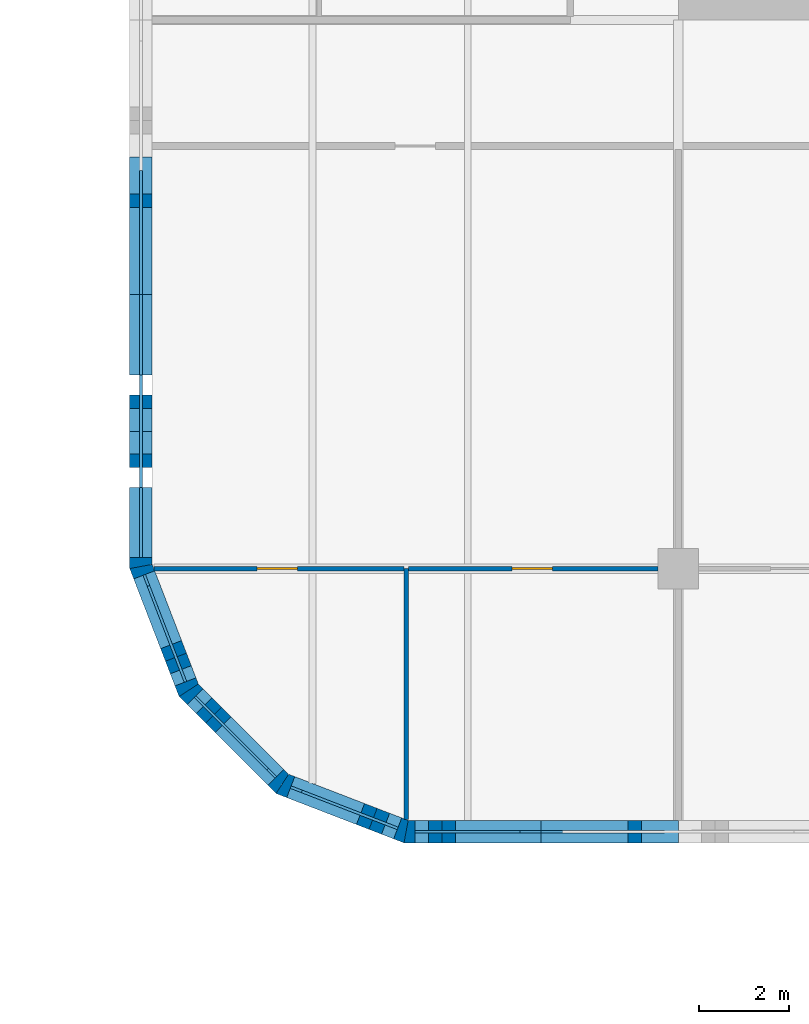
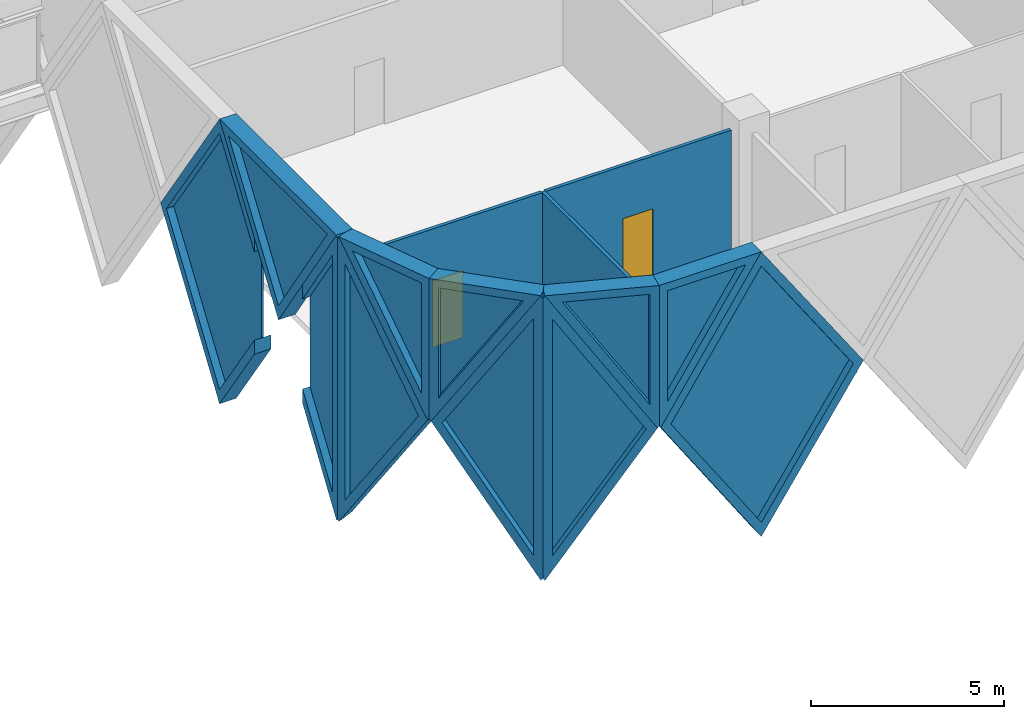
# One storey, part 20 of 30: 14 walls, 11 plates, 2 doors, 13 openings.
"""IFC4 building model written with IfcOpenShell, lengths in metres."""

from ifc_helpers import new_model, si_unit, direction, frame, frame_2d, origin, place, context, subcontext, project, spatial, polyline, rectangle, outline, extrude, faceted_brep, source, transform, mapped, material, layer, layer_set, type_object, element, fill, save


model = new_model("IFC4")

# Units and contexts
model_context = context("Model", 3, precision=1e-05, world=origin(), true_north=direction((0.0, 1.0)))
body_context = subcontext(model_context, "Body", "Model", "MODEL_VIEW")
ifc_project = project(units=[si_unit("LENGTHUNIT", "METRE"), si_unit("AREAUNIT", "SQUARE_METRE"), si_unit("VOLUMEUNIT", "CUBIC_METRE"), si_unit("PLANEANGLEUNIT", "RADIAN"), si_unit("MASSUNIT", "GRAM", prefix="KILO")], contexts=[model_context])

# Site, building, storey
site_placement = place(None, origin())
site = spatial("IfcSite", under=ifc_project, at=site_placement, CompositionType="ELEMENT")
building_placement = place(site_placement, origin())
building = spatial("IfcBuilding", under=site, at=building_placement, Name="Tessera Gate Towers", CompositionType="ELEMENT")
storey_placement = place(building_placement, frame((0.0, 0.0, 21.300048828125)))
storey = spatial("IfcBuildingStorey", under=building, at=storey_placement, Name="L04", CompositionType="ELEMENT", Elevation=21.300048828125)

# Wall, opening, door
ifc_material_1 = material(Name="Glass", Category="glass")
ifc_layer_1 = layer(ifc_material_1, 0.10009765625)
ifc_layer_set_1 = layer_set([ifc_layer_1], Name="GLAZED PARTITION 100")
wall_type_1 = type_object("IfcWallType", Name="GLAZED PARTITION 100", PredefinedType="PARTITIONING", material=ifc_layer_set_1)
wall_1_placement = place(storey_placement, frame((91.501220703125, 24.39990234375, 0.0), z_axis=(0.0, 0.0, 1.0), x_axis=(-1.0, 0.0, 0.0)))
wall_1 = element("IfcWall", 1, at=wall_1_placement, inside=storey, type_object=wall_type_1, Name="T2-L04-PW-011", PredefinedType="PARTITIONING", context=body_context, shape_type="SweptSolid", body=[
    extrude(rectangle(XDim=5.5654296875, YDim=0.10009765625, at=frame_2d((2.78271484375, 0.0))), origin(), (0.0, 0.0, 1.0), 3.766845703125),
])
shared_shape_1 = source(origin(), body_context, "Body", "SweptSolid", [
    extrude(rectangle(XDim=0.89990234375, YDim=2.10009765625, at=frame_2d((0.449951171875, 1.050048828125))), frame((0.0, 0.06005859375, 0.0), z_axis=(0.0, -1.0, 0.0), x_axis=(1.0, 0.0, 0.0)), (0.0, 0.0, 1.0), 0.1201171875),
])
opening_1_placement = place(wall_1_placement, frame((2.365234375, 0.0, 0.0)))
opening_1 = element("IfcOpeningElement", 2, at=opening_1_placement, cuts=wall_1, Name="Opening D690-B02-09", PredefinedType="OPENING", context=body_context, shape_type="MappedRepresentation", body=[
    mapped(shared_shape_1, transform((0.0, 0.0, 0.0), scale=1.0)),
])
ifc_material_2 = material(Name="Glass in aluminium frame", Category="aluminium")
door_type = type_object("IfcDoorType", Name="GLAZED DOOR 900 NOT RATED", OperationType="NOTDEFINED", PredefinedType="DOOR", material=ifc_material_2)
shared_shape_2 = source(origin(), body_context, "Body", "SweptSolid", [
    extrude(rectangle(XDim=0.89990234375, YDim=2.10009765625, at=frame_2d((0.449951171875, 1.050048828125))), frame((0.0, 0.02490234375, 0.0), z_axis=(0.0, -1.0, 0.0), x_axis=(1.0, 0.0, 0.0)), (0.0, 0.0, 1.0), 0.050048828125),
])
door_1_placement = place(opening_1_placement, origin())
door_1 = element("IfcDoor", 3, at=door_1_placement, inside=storey, type_object=door_type, Name="T2-L04-PD-016", OperationType="SINGLE_SWING_RIGHT", OverallHeight=2.10009765625, OverallWidth=0.89990234375, PredefinedType="DOOR", context=body_context, shape_type="MappedRepresentation", body=[
    mapped(shared_shape_2, transform((0.0, 0.0, 0.0), scale=1.0)),
])
fill(opening_1, door_1)

wall_2_placement = place(storey_placement, frame((97.14892578125, 24.39990234375, 0.0), z_axis=(0.0, 0.0, 1.0), x_axis=(-1.0, 0.0, 0.0)))
wall_2 = element("IfcWall", 4, at=wall_2_placement, inside=storey, type_object=wall_type_1, Name="T2-L04-PW-012", PredefinedType="PARTITIONING", context=body_context, shape_type="SweptSolid", body=[
    extrude(rectangle(XDim=5.545654296875, YDim=0.10009765625, at=frame_2d((2.77294921875, 0.0))), origin(), (0.0, 0.0, 1.0), 3.766845703125),
])
opening_2_placement = place(wall_2_placement, frame((2.345703125, 0.0, 0.0)))
opening_2 = element("IfcOpeningElement", 5, at=opening_2_placement, cuts=wall_2, Name="Opening D690-B02-08", PredefinedType="OPENING", context=body_context, shape_type="MappedRepresentation", body=[
    mapped(shared_shape_1, transform((0.0, 0.0, 0.0), scale=1.0)),
])
door_2_placement = place(opening_2_placement, origin())
door_2 = element("IfcDoor", 6, at=door_2_placement, inside=storey, type_object=door_type, Name="T2-L04-PD-015", OperationType="SINGLE_SWING_RIGHT", OverallHeight=2.10009765625, OverallWidth=0.89990234375, PredefinedType="DOOR", context=body_context, shape_type="MappedRepresentation", body=[
    mapped(shared_shape_2, transform((0.0, 0.0, 0.0), scale=1.0)),
])
fill(opening_2, door_2)

# Wall
ifc_material_3 = material(Name="Gypsum board on steel studs", Category="steel")
ifc_layer_2 = layer(ifc_material_3, 0.10009765625)
ifc_layer_set_2 = layer_set([ifc_layer_2], Name="PARTITION 100")
wall_type_2 = type_object("IfcWallType", Name="PARTITION 100", PredefinedType="PARTITIONING", material=ifc_layer_set_2)
wall_3_placement = place(storey_placement, frame((91.552001953125, 18.81591796875, 0.0), z_axis=(0.0, 0.0, 1.0), x_axis=(0.0, 1.0, 0.0)))
element("IfcWall", 7, at=wall_3_placement, inside=storey, type_object=wall_type_2, Name="T2-L04-PW-007", PredefinedType="PARTITIONING", context=body_context, shape_type="SweptSolid", body=[
    extrude(rectangle(XDim=5.583984375, YDim=0.10009765625, at=frame_2d((2.7919921875, 0.0))), origin(), (0.0, 0.0, 1.0), 3.766845703125),
])

# Wall, opening, plate
ifc_material_4 = material(Name="Precast concrete C60/75 white", Category="concrete")
ifc_layer_3 = layer(ifc_material_4, 0.5)
ifc_layer_set_3 = layer_set([ifc_layer_3], Name="TS1 tessera")
wall_type_3 = type_object("IfcWallType", Name="TS1 tessera", PredefinedType="SOLIDWALL", material=ifc_layer_set_3)
shared_shape_3 = source(origin(), body_context, "Body", "Brep", [
    faceted_brep([(3.00341796875, -0.25, 0.0), (6.053466796875, -0.25, 4.5), (3.00341796875, -0.25, 9.0), (0.0, -0.25, 4.5), (0.046630859375, 0.25, 4.56982421875), (3.00341796875, 0.25, 9.0), (6.053466796875, 0.25, 4.5), (3.00341796875, 0.25, 0.0), (0.046630859375, 0.25, 4.43017578125), (0.0, 0.0, 4.5)], [[[0, 1, 2, 3]], [[4, 5, 6, 7, 8]], [[7, 6, 1, 0]], [[6, 5, 2, 1]], [[5, 4, 9, 3, 2]], [[8, 7, 0, 3, 9]], [[8, 9, 4]]]),
])
wall_4_placement = place(storey_placement, frame((91.546630859375, 18.550048828125, -4.5), z_axis=(0.0, 0.0, 1.0), x_axis=(1.0, 0.0, 0.0)))
wall_4 = element("IfcWall", 8, at=wall_4_placement, inside=storey, type_object=wall_type_3, Name="Precast tessera T2 TS1-0001", PredefinedType="SOLIDWALL", context=body_context, shape_type="MappedRepresentation", body=[
    mapped(shared_shape_3, transform((0.0, 0.0, 0.0), scale=1.0)),
])
shared_shape_4 = source(origin(), body_context, "Body", "SweptSolid", [
    extrude(outline(polyline([(3.005126953125, 0.447998046875), (5.75146484375, 4.5), (3.005126953125, 8.552001953125), (0.300537109375, 4.5), (3.005126953125, 0.447998046875)])), frame((0.0, 0.260009765625, 0.0), z_axis=(0.0, -1.0, 0.0), x_axis=(1.0, 0.0, 0.0)), (0.0, 0.0, 1.0), 0.52001953125),
])
opening_3_placement = place(wall_4_placement, origin())
opening_3 = element("IfcOpeningElement", 9, at=opening_3_placement, cuts=wall_4, Name="Opening T2-PL2-0001", PredefinedType="OPENING", context=body_context, shape_type="MappedRepresentation", body=[
    mapped(shared_shape_4, transform((0.0, 0.0, 0.0), scale=1.0)),
])
ifc_material_5 = material(Name="Low-e laminated glass", Category="glass")
ifc_layer_4 = layer(ifc_material_5, 0.06005859375)
ifc_layer_set_4 = layer_set([ifc_layer_4], Name="PL2 rhombic pane")
plate_type_1 = type_object("IfcPlateType", Name="PL2 rhombic pane", PredefinedType="SHEET", material=ifc_layer_set_4)
shared_shape_5 = source(origin(), body_context, "Body", "SweptSolid", [
    extrude(outline(polyline([(3.005126953125, 0.447998046875), (5.75146484375, 4.5), (3.005126953125, 8.552001953125), (0.300537109375, 4.5), (3.005126953125, 0.447998046875)])), frame((0.0, 0.030029296875, 0.0), z_axis=(0.0, -1.0, 0.0), x_axis=(1.0, 0.0, 0.0)), (0.0, 0.0, 1.0), 0.06005859375),
])
plate_1_placement = place(opening_3_placement, origin())
plate_1 = element("IfcPlate", 10, at=plate_1_placement, inside=storey, type_object=plate_type_1, Name="Glass pane T2 PL2-0001", PredefinedType="SHEET", context=body_context, shape_type="MappedRepresentation", body=[
    mapped(shared_shape_5, transform((0.0, 0.0, 0.0), scale=1.0)),
])
fill(opening_3, plate_1)

shared_shape_6 = source(origin(), body_context, "Body", "SweptSolid", [
    extrude(outline(polyline([(3.050048828125, 0.0), (4.85009765625, 2.65576171875), (4.85009765625, 6.34423828125), (3.050048828125, 9.0), (0.0, 4.5), (3.050048828125, 0.0)])), frame((0.0, 0.25, 0.0), z_axis=(0.0, -1.0, 0.0), x_axis=(1.0, 0.0, 0.0)), (0.0, 0.0, 1.0), 0.5),
])
wall_5_placement = place(storey_placement, frame((85.64990234375, 33.550048828125, -4.5), z_axis=(0.0, 0.0, 1.0), x_axis=(0.0, -1.0, 0.0)))
wall_5 = element("IfcWall", 11, at=wall_5_placement, inside=storey, type_object=wall_type_3, Name="Precast tessera T2 TS1-0017", PredefinedType="SOLIDWALL", context=body_context, shape_type="MappedRepresentation", body=[
    mapped(shared_shape_6, transform((0.0, 0.0, 0.0), scale=1.0)),
])
shared_shape_7 = source(origin(), body_context, "Body", "SweptSolid", [
    extrude(outline(polyline([(3.050048828125, 0.445556640625), (4.85009765625, 3.101318359375), (4.85009765625, 5.898681640625), (3.050048828125, 8.554443359375), (0.302001953125, 4.5), (3.050048828125, 0.445556640625)])), frame((0.0, 0.260009765625, 0.0), z_axis=(0.0, -1.0, 0.0), x_axis=(1.0, 0.0, 0.0)), (0.0, 0.0, 1.0), 0.52001953125),
])
opening_4_placement = place(wall_5_placement, origin())
opening_4 = element("IfcOpeningElement", 12, at=opening_4_placement, cuts=wall_5, Name="Opening T2-PL2-0029", PredefinedType="OPENING", context=body_context, shape_type="MappedRepresentation", body=[
    mapped(shared_shape_7, transform((0.0, 0.0, 0.0), scale=1.0)),
])
shared_shape_8 = source(origin(), body_context, "Body", "SweptSolid", [
    extrude(outline(polyline([(3.050048828125, 0.445556640625), (4.85009765625, 3.101318359375), (4.85009765625, 5.898681640625), (3.050048828125, 8.554443359375), (0.302001953125, 4.5), (3.050048828125, 0.445556640625)])), frame((0.0, 0.030029296875, 0.0), z_axis=(0.0, -1.0, 0.0), x_axis=(1.0, 0.0, 0.0)), (0.0, 0.0, 1.0), 0.06005859375),
])
plate_2_placement = place(opening_4_placement, origin())
plate_2 = element("IfcPlate", 13, at=plate_2_placement, inside=storey, type_object=plate_type_1, Name="Glass pane T2 PL2-0029", PredefinedType="SHEET", context=body_context, shape_type="MappedRepresentation", body=[
    mapped(shared_shape_8, transform((0.0, 0.0, 0.0), scale=1.0)),
])
fill(opening_4, plate_2)

ifc_material_6 = material(Name="Precast concrete C60/75 white", Category="concrete")
ifc_layer_5 = layer(ifc_material_6, 0.5)
ifc_layer_set_5 = layer_set([ifc_layer_5], Name="TS3 corner tessera")
wall_type_4 = type_object("IfcWallType", Name="TS3 corner tessera", PredefinedType="SOLIDWALL", material=ifc_layer_set_5)
shared_shape_9 = source(origin(), body_context, "Body", "Brep", [
    faceted_brep([(1.75341796875, -0.25, 0.0), (1.800048828125, -0.25, 0.071044921875), (1.800048828125, -0.25, 8.928955078125), (1.75341796875, -0.25, 9.0), (0.0, -0.25, 6.372802734375), (0.0, -0.25, 2.627197265625), (0.0, 0.25, 2.627197265625), (0.0, 0.25, 6.372802734375), (1.706787109375, 0.25, 8.930419921875), (1.706787109375, 0.25, 0.069580078125), (1.75341796875, 0.000244140625, 0.0), (1.75341796875, 0.000244140625, 9.0)], [[[0, 1, 2, 3, 4, 5]], [[6, 7, 8, 9]], [[1, 0, 10]], [[11, 3, 2]], [[8, 7, 4, 3, 11]], [[7, 6, 5, 4]], [[6, 9, 10, 0, 5]], [[1, 10, 9, 8, 11, 2]]]),
])
wall_6_placement = place(storey_placement, frame((85.64990234375, 26.199951171875, -4.5), z_axis=(0.0, 0.0, 1.0), x_axis=(0.0, -1.0, 0.0)))
wall_6 = element("IfcWall", 14, at=wall_6_placement, inside=storey, type_object=wall_type_4, Name="Precast corner tessera T2 TS3-0029", PredefinedType="SOLIDWALL", context=body_context, shape_type="MappedRepresentation", body=[
    mapped(shared_shape_9, transform((0.0, 0.0, 0.0), scale=1.0)),
])
shared_shape_10 = source(origin(), body_context, "Body", "SweptSolid", [
    extrude(outline(polyline([(1.553466796875, 8.25), (0.0, 5.92236328125), (0.0, 3.077392578125), (1.553466796875, 0.75), (1.553466796875, 8.25)])), frame((0.0, 0.260009765625, 0.0), z_axis=(0.0, -1.0, 0.0), x_axis=(1.0, 0.0, 0.0)), (0.0, 0.0, 1.0), 0.52001953125),
])
opening_5_placement = place(wall_6_placement, origin())
opening_5 = element("IfcOpeningElement", 15, at=opening_5_placement, cuts=wall_6, Name="Opening T2-PL2-0030", PredefinedType="OPENING", context=body_context, shape_type="MappedRepresentation", body=[
    mapped(shared_shape_10, transform((0.0, 0.0, 0.0), scale=1.0)),
])
shared_shape_11 = source(origin(), body_context, "Body", "SweptSolid", [
    extrude(outline(polyline([(1.553466796875, 8.25), (0.0, 5.92236328125), (0.0, 3.077392578125), (1.553466796875, 0.75), (1.553466796875, 8.25)])), frame((0.0, 0.030029296875, 0.0), z_axis=(0.0, -1.0, 0.0), x_axis=(1.0, 0.0, 0.0)), (0.0, 0.0, 1.0), 0.06005859375),
])
plate_3_placement = place(opening_5_placement, origin())
plate_3 = element("IfcPlate", 16, at=plate_3_placement, inside=storey, type_object=plate_type_1, Name="Glass pane T2 PL2-0030", PredefinedType="SHEET", context=body_context, shape_type="MappedRepresentation", body=[
    mapped(shared_shape_11, transform((0.0, 0.0, 0.0), scale=1.0)),
])
fill(opening_5, plate_3)

shared_shape_12 = source(origin(), body_context, "Body", "Brep", [
    faceted_brep([(0.046630859375, -0.25, 0.0), (2.9970703125, -0.25, 4.5), (0.046630859375, -0.25, 9.0), (0.0, -0.25, 8.93017578125), (0.0, -0.25, 0.06982421875), (0.09326171875, 0.25, 8.928955078125), (2.9443359375, 0.25, 4.58056640625), (2.9443359375, 0.25, 4.41943359375), (0.09326171875, 0.25, 0.071044921875), (2.9970703125, 0.00048828125, 4.5), (0.046630859375, 0.0, 0.0), (0.046630859375, 0.0, 9.0)], [[[0, 1, 2, 3, 4]], [[5, 6, 7, 8]], [[8, 7, 9, 1, 0, 10]], [[6, 5, 11, 2, 1, 9]], [[3, 2, 11]], [[10, 0, 4]], [[8, 10, 4, 3, 11, 5]], [[9, 7, 6]]]),
])
wall_7_placement = place(storey_placement, frame((85.63330078125, 24.489990234375, -4.5), z_axis=(0.0, 0.0, 1.0), x_axis=(0.359901446078, -0.932990326376, 0.0)))
wall_7 = element("IfcWall", 17, at=wall_7_placement, inside=storey, type_object=wall_type_4, Name="Precast corner tessera T2 TS3-0030", PredefinedType="SOLIDWALL", context=body_context, shape_type="MappedRepresentation", body=[
    mapped(shared_shape_12, transform((0.0, 0.0, 0.0), scale=1.0)),
])
shared_shape_13 = source(origin(), body_context, "Body", "SweptSolid", [
    extrude(outline(polyline([(0.24658203125, 0.760986328125), (2.6982421875, 4.5), (0.24658203125, 8.239013671875), (0.24658203125, 0.760986328125)])), frame((0.0, 0.260009765625, 0.0), z_axis=(0.0, -1.0, 0.0), x_axis=(1.0, 0.0, 0.0)), (0.0, 0.0, 1.0), 0.52001953125),
])
opening_6_placement = place(wall_7_placement, origin())
opening_6 = element("IfcOpeningElement", 18, at=opening_6_placement, cuts=wall_7, Name="Opening T2-PL2-0031", PredefinedType="OPENING", context=body_context, shape_type="MappedRepresentation", body=[
    mapped(shared_shape_13, transform((0.0, 0.0, 0.0), scale=1.0)),
])
shared_shape_14 = source(origin(), body_context, "Body", "SweptSolid", [
    extrude(outline(polyline([(0.24658203125, 0.760986328125), (2.6982421875, 4.5), (0.24658203125, 8.239013671875), (0.24658203125, 0.760986328125)])), frame((0.0, 0.030029296875, 0.0), z_axis=(0.0, -1.0, 0.0), x_axis=(1.0, 0.0, 0.0)), (0.0, 0.0, 1.0), 0.06005859375),
])
plate_4_placement = place(opening_6_placement, origin())
plate_4 = element("IfcPlate", 19, at=plate_4_placement, inside=storey, type_object=plate_type_1, Name="Glass pane T2 PL2-0031", PredefinedType="SHEET", context=body_context, shape_type="MappedRepresentation", body=[
    mapped(shared_shape_14, transform((0.0, 0.0, 0.0), scale=1.0)),
])
fill(opening_6, plate_4)

shared_shape_15 = source(origin(), body_context, "Body", "Brep", [
    faceted_brep([(2.944091796875, -0.25, 0.0), (2.9970703125, -0.25, 0.080810546875), (2.9970703125, -0.25, 8.919189453125), (2.944091796875, -0.25, 9.0), (0.0, -0.25, 4.5), (0.052978515625, 0.25, 4.580810546875), (2.89111328125, 0.25, 8.919189453125), (2.89111328125, 0.25, 0.080810546875), (0.052978515625, 0.25, 4.419189453125), (2.944091796875, 0.000244140625, 0.0), (2.944091796875, 0.000244140625, 9.0), (0.0, 0.0, 4.5)], [[[0, 1, 2, 3, 4]], [[5, 6, 7, 8]], [[1, 0, 9]], [[10, 3, 2]], [[6, 5, 11, 4, 3, 10]], [[8, 7, 9, 0, 4, 11]], [[8, 11, 5]], [[1, 9, 7, 6, 10, 2]]]),
])
wall_8_placement = place(storey_placement, frame((86.7119140625, 21.69384765625, -4.5), z_axis=(0.0, 0.0, 1.0), x_axis=(0.707066050402, -0.707147509625, 0.0)))
wall_8 = element("IfcWall", 20, at=wall_8_placement, inside=storey, type_object=wall_type_4, Name="Precast corner tessera T2 TS3-0031", PredefinedType="SOLIDWALL", context=body_context, shape_type="MappedRepresentation", body=[
    mapped(shared_shape_15, transform((0.0, 0.0, 0.0), scale=1.0)),
])
shared_shape_16 = source(origin(), body_context, "Body", "SweptSolid", [
    extrude(outline(polyline([(2.744140625, 8.237548828125), (0.298828125, 4.5), (2.744140625, 0.76220703125), (2.744140625, 8.237548828125)])), frame((0.0, 0.260009765625, 0.0), z_axis=(0.0, -1.0, 0.0), x_axis=(1.0, 0.0, 0.0)), (0.0, 0.0, 1.0), 0.52001953125),
])
opening_7_placement = place(wall_8_placement, origin())
opening_7 = element("IfcOpeningElement", 21, at=opening_7_placement, cuts=wall_8, Name="Opening T2-PL2-0032", PredefinedType="OPENING", context=body_context, shape_type="MappedRepresentation", body=[
    mapped(shared_shape_16, transform((0.0, 0.0, 0.0), scale=1.0)),
])
shared_shape_17 = source(origin(), body_context, "Body", "SweptSolid", [
    extrude(outline(polyline([(2.744140625, 8.237548828125), (0.298828125, 4.5), (2.744140625, 0.76220703125), (2.744140625, 8.237548828125)])), frame((0.0, 0.030029296875, 0.0), z_axis=(0.0, -1.0, 0.0), x_axis=(1.0, 0.0, 0.0)), (0.0, 0.0, 1.0), 0.06005859375),
])
plate_5_placement = place(opening_7_placement, origin())
plate_5 = element("IfcPlate", 22, at=plate_5_placement, inside=storey, type_object=plate_type_1, Name="Glass pane T2 PL2-0032", PredefinedType="SHEET", context=body_context, shape_type="MappedRepresentation", body=[
    mapped(shared_shape_17, transform((0.0, 0.0, 0.0), scale=1.0)),
])
fill(opening_7, plate_5)

shared_shape_18 = source(origin(), body_context, "Body", "Brep", [
    faceted_brep([(0.046630859375, -0.25, 0.0), (3.050048828125, -0.25, 4.5), (0.0, -0.25, 4.5), (0.0, -0.25, 0.071044921875), (0.09326171875, 0.25, 4.5), (3.050048828125, 0.25, 4.5), (0.09326171875, 0.25, 0.06982421875), (0.046630859375, 0.0, 0.0)], [[[0, 1, 2, 3]], [[4, 5, 6]], [[6, 5, 1, 0, 7]], [[5, 4, 2, 1]], [[7, 0, 3]], [[6, 7, 3, 2, 4]]]),
])
wall_9_placement = place(storey_placement, frame((91.5, 18.550048828125, 0.0), z_axis=(0.0, 0.0, 1.0), x_axis=(1.0, 0.0, 0.0)))
wall_9 = element("IfcWall", 23, at=wall_9_placement, inside=storey, type_object=wall_type_4, Name="Precast corner tessera T2 TS3-0033", PredefinedType="SOLIDWALL", context=body_context, shape_type="MappedRepresentation", body=[
    mapped(shared_shape_18, transform((0.0, 0.0, 0.0), scale=1.0)),
])
shared_shape_19 = source(origin(), body_context, "Body", "SweptSolid", [
    extrude(outline(polyline([(0.24658203125, 0.75), (2.582763671875, 4.25), (0.24658203125, 4.25), (0.24658203125, 0.75)])), frame((0.0, 0.260009765625, 0.0), z_axis=(0.0, -1.0, 0.0), x_axis=(1.0, 0.0, 0.0)), (0.0, 0.0, 1.0), 0.52001953125),
])
opening_8_placement = place(wall_9_placement, origin())
opening_8 = element("IfcOpeningElement", 24, at=opening_8_placement, cuts=wall_9, Name="Opening T2-PL1-0034", PredefinedType="OPENING", context=body_context, shape_type="MappedRepresentation", body=[
    mapped(shared_shape_19, transform((0.0, 0.0, 0.0), scale=1.0)),
])
ifc_material_7 = material(Name="Low-e laminated glass", Category="glass")
ifc_layer_6 = layer(ifc_material_7, 0.06005859375)
ifc_layer_set_6 = layer_set([ifc_layer_6], Name="PL1 triangular pane")
plate_type_2 = type_object("IfcPlateType", Name="PL1 triangular pane", PredefinedType="SHEET", material=ifc_layer_set_6)
shared_shape_20 = source(origin(), body_context, "Body", "SweptSolid", [
    extrude(outline(polyline([(0.24658203125, 0.75), (2.582763671875, 4.25), (0.24658203125, 4.25), (0.24658203125, 0.75)])), frame((0.0, 0.030029296875, 0.0), z_axis=(0.0, -1.0, 0.0), x_axis=(1.0, 0.0, 0.0)), (0.0, 0.0, 1.0), 0.06005859375),
])
plate_6_placement = place(opening_8_placement, origin())
plate_6 = element("IfcPlate", 25, at=plate_6_placement, inside=storey, type_object=plate_type_2, Name="Glass pane T2 PL1-0034", PredefinedType="SHEET", context=body_context, shape_type="MappedRepresentation", body=[
    mapped(shared_shape_20, transform((0.0, 0.0, 0.0), scale=1.0)),
])
fill(opening_8, plate_6)

shared_shape_21 = source(origin(), body_context, "Body", "Brep", [
    faceted_brep([(2.950439453125, -0.25, 0.0), (2.9970703125, -0.25, 0.06982421875), (2.9970703125, -0.25, 4.5), (0.0, -0.25, 4.5), (0.052978515625, 0.25, 4.5), (2.904052734375, 0.25, 4.5), (2.904052734375, 0.25, 0.07080078125), (0.052978515625, 0.25, 4.419189453125), (2.950439453125, 0.00048828125, 0.0), (0.0, 0.0, 4.5)], [[[0, 1, 2, 3]], [[4, 5, 6, 7]], [[1, 0, 8]], [[5, 4, 9, 3, 2]], [[7, 6, 8, 0, 3, 9]], [[7, 9, 4]], [[1, 8, 6, 5, 2]]]),
])
wall_10_placement = place(storey_placement, frame((88.793701171875, 19.61181640625, 0.0), z_axis=(0.0, 0.0, 1.0), x_axis=(0.933000876937, -0.359874094142, 0.0)))
wall_10 = element("IfcWall", 26, at=wall_10_placement, inside=storey, type_object=wall_type_4, Name="Precast corner tessera T2 TS3-0034", PredefinedType="SOLIDWALL", context=body_context, shape_type="MappedRepresentation", body=[
    mapped(shared_shape_21, transform((0.0, 0.0, 0.0), scale=1.0)),
])
shared_shape_22 = source(origin(), body_context, "Body", "SweptSolid", [
    extrude(outline(polyline([(2.75048828125, 4.25), (0.462890625, 4.25), (2.75048828125, 0.760986328125), (2.75048828125, 4.25)])), frame((0.0, 0.260009765625, 0.0), z_axis=(0.0, -1.0, 0.0), x_axis=(1.0, 0.0, 0.0)), (0.0, 0.0, 1.0), 0.52001953125),
])
opening_9_placement = place(wall_10_placement, origin())
opening_9 = element("IfcOpeningElement", 27, at=opening_9_placement, cuts=wall_10, Name="Opening T2-PL1-0035", PredefinedType="OPENING", context=body_context, shape_type="MappedRepresentation", body=[
    mapped(shared_shape_22, transform((0.0, 0.0, 0.0), scale=1.0)),
])
shared_shape_23 = source(origin(), body_context, "Body", "SweptSolid", [
    extrude(outline(polyline([(2.75048828125, 4.25), (0.462890625, 4.25), (2.75048828125, 0.760986328125), (2.75048828125, 4.25)])), frame((0.0, 0.030029296875, 0.0), z_axis=(0.0, -1.0, 0.0), x_axis=(1.0, 0.0, 0.0)), (0.0, 0.0, 1.0), 0.06005859375),
])
plate_7_placement = place(opening_9_placement, origin())
plate_7 = element("IfcPlate", 28, at=plate_7_placement, inside=storey, type_object=plate_type_2, Name="Glass pane T2 PL1-0035", PredefinedType="SHEET", context=body_context, shape_type="MappedRepresentation", body=[
    mapped(shared_shape_23, transform((0.0, 0.0, 0.0), scale=1.0)),
])
fill(opening_9, plate_7)

shared_shape_24 = source(origin(), body_context, "Body", "Brep", [
    faceted_brep([(2.950439453125, -0.25, 0.0), (3.00341796875, -0.25, 0.0810546875), (3.00341796875, -0.25, 4.5), (0.0, -0.25, 4.5), (0.046630859375, 0.25, 4.5), (2.897705078125, 0.25, 4.5), (2.897705078125, 0.25, 0.08056640625), (0.046630859375, 0.25, 4.428955078125), (2.950439453125, 0.00048828125, 0.0), (0.0, 0.0, 4.5)], [[[0, 1, 2, 3]], [[4, 5, 6, 7]], [[1, 0, 8]], [[5, 4, 9, 3, 2]], [[7, 6, 8, 0, 3, 9]], [[7, 9, 4]], [[1, 8, 6, 5, 2]]]),
])
wall_11_placement = place(storey_placement, frame((85.64990234375, 24.446533203125, 0.0), z_axis=(0.0, 0.0, 1.0), x_axis=(0.35992665181, -0.932980602862, 0.0)))
wall_11 = element("IfcWall", 29, at=wall_11_placement, inside=storey, type_object=wall_type_4, Name="Precast corner tessera T2 TS3-0047", PredefinedType="SOLIDWALL", context=body_context, shape_type="MappedRepresentation", body=[
    mapped(shared_shape_24, transform((0.0, 0.0, 0.0), scale=1.0)),
])
opening_10_placement = place(wall_11_placement, origin())
opening_10 = element("IfcOpeningElement", 30, at=opening_10_placement, cuts=wall_11, Name="Opening T2-PL1-0066", PredefinedType="OPENING", context=body_context, shape_type="MappedRepresentation", body=[
    mapped(shared_shape_22, transform((0.0, 0.0, 0.0), scale=1.0)),
])
plate_8_placement = place(opening_10_placement, origin())
plate_8 = element("IfcPlate", 31, at=plate_8_placement, inside=storey, type_object=plate_type_2, Name="Glass pane T2 PL1-0066", PredefinedType="SHEET", context=body_context, shape_type="MappedRepresentation", body=[
    mapped(shared_shape_23, transform((0.0, 0.0, 0.0), scale=1.0)),
])
fill(opening_10, plate_8)

ifc_material_8 = material(Name="Precast concrete C60/75 white", Category="concrete")
ifc_layer_7 = layer(ifc_material_8, 0.5)
ifc_layer_set_7 = layer_set([ifc_layer_7], Name="TS2 half tessera")
wall_type_5 = type_object("IfcWallType", Name="TS2 half tessera", PredefinedType="SOLIDWALL", material=ifc_layer_set_7)
shared_shape_25 = source(origin(), body_context, "Body", "Brep", [
    faceted_brep([(3.050048828125, -0.25, 0.0), (6.053466796875, -0.25, 4.5), (0.0, -0.25, 4.5), (0.0, 0.25, 4.5), (6.0068359375, 0.25, 4.5), (6.0068359375, 0.25, 4.43017578125), (3.050048828125, 0.25, 0.0), (6.053466796875, 0.0, 4.5)], [[[0, 1, 2]], [[3, 4, 5, 6]], [[6, 5, 7, 1, 0]], [[4, 3, 2, 1, 7]], [[3, 6, 0, 2]], [[5, 4, 7]]]),
])
wall_12_placement = place(storey_placement, frame((85.64990234375, 30.5, 0.0), z_axis=(0.0, 0.0, 1.0), x_axis=(0.0, -1.0, 0.0)))
wall_12 = element("IfcWall", 32, at=wall_12_placement, inside=storey, type_object=wall_type_5, Name="Precast half tessera T2 TS2-0035", PredefinedType="SOLIDWALL", context=body_context, shape_type="MappedRepresentation", body=[
    mapped(shared_shape_25, transform((0.0, 0.0, 0.0), scale=1.0)),
])
shared_shape_26 = source(origin(), body_context, "Body", "SweptSolid", [
    extrude(outline(polyline([(3.04833984375, 0.447998046875), (5.5859375, 4.25), (0.471435546875, 4.25), (3.04833984375, 0.447998046875)])), frame((0.0, 0.260009765625, 0.0), z_axis=(0.0, -1.0, 0.0), x_axis=(1.0, 0.0, 0.0)), (0.0, 0.0, 1.0), 0.52001953125),
])
opening_11_placement = place(wall_12_placement, origin())
opening_11 = element("IfcOpeningElement", 33, at=opening_11_placement, cuts=wall_12, Name="Opening T2-PL1-0065", PredefinedType="OPENING", context=body_context, shape_type="MappedRepresentation", body=[
    mapped(shared_shape_26, transform((0.0, 0.0, 0.0), scale=1.0)),
])
shared_shape_27 = source(origin(), body_context, "Body", "SweptSolid", [
    extrude(outline(polyline([(3.04833984375, 0.447998046875), (5.5859375, 4.25), (0.471435546875, 4.25), (3.04833984375, 0.447998046875)])), frame((0.0, 0.030029296875, 0.0), z_axis=(0.0, -1.0, 0.0), x_axis=(1.0, 0.0, 0.0)), (0.0, 0.0, 1.0), 0.06005859375),
])
plate_9_placement = place(opening_11_placement, origin())
plate_9 = element("IfcPlate", 34, at=plate_9_placement, inside=storey, type_object=plate_type_2, Name="Glass pane T2 PL1-0065", PredefinedType="SHEET", context=body_context, shape_type="MappedRepresentation", body=[
    mapped(shared_shape_27, transform((0.0, 0.0, 0.0), scale=1.0)),
])
fill(opening_11, plate_9)

shared_shape_28 = source(origin(), body_context, "Body", "Brep", [
    faceted_brep([(0.052978515625, -0.25, 0.0), (2.9970703125, -0.25, 4.5), (0.0, -0.25, 4.5), (0.0, -0.25, 0.080810546875), (0.10595703125, 0.25, 4.5), (2.944091796875, 0.25, 4.5), (2.944091796875, 0.25, 4.419189453125), (0.10595703125, 0.25, 0.080810546875), (2.9970703125, 0.000244140625, 4.5), (0.052978515625, 0.0, 0.0)], [[[0, 1, 2, 3]], [[4, 5, 6, 7]], [[7, 6, 8, 1, 0, 9]], [[5, 4, 2, 1, 8]], [[9, 0, 3]], [[7, 9, 3, 2, 4]], [[6, 5, 8]]]),
])
wall_13_placement = place(storey_placement, frame((86.674560546875, 21.731201171875, 0.0), z_axis=(0.0, 0.0, 1.0), x_axis=(0.707106781187, -0.707106781187, 0.0)))
wall_13 = element("IfcWall", 35, at=wall_13_placement, inside=storey, type_object=wall_type_4, Name="Precast corner tessera T2 TS3-0048", PredefinedType="SOLIDWALL", context=body_context, shape_type="MappedRepresentation", body=[
    mapped(shared_shape_28, transform((0.0, 0.0, 0.0), scale=1.0)),
])
shared_shape_29 = source(origin(), body_context, "Body", "SweptSolid", [
    extrude(outline(polyline([(0.2529296875, 0.76220703125), (2.534912109375, 4.25), (0.2529296875, 4.25), (0.2529296875, 0.76220703125)])), frame((0.0, 0.260009765625, 0.0), z_axis=(0.0, -1.0, 0.0), x_axis=(1.0, 0.0, 0.0)), (0.0, 0.0, 1.0), 0.52001953125),
])
opening_12_placement = place(wall_13_placement, origin())
opening_12 = element("IfcOpeningElement", 36, at=opening_12_placement, cuts=wall_13, Name="Opening T2-PL1-0067", PredefinedType="OPENING", context=body_context, shape_type="MappedRepresentation", body=[
    mapped(shared_shape_29, transform((0.0, 0.0, 0.0), scale=1.0)),
])
shared_shape_30 = source(origin(), body_context, "Body", "SweptSolid", [
    extrude(outline(polyline([(0.2529296875, 0.76220703125), (2.534912109375, 4.25), (0.2529296875, 4.25), (0.2529296875, 0.76220703125)])), frame((0.0, 0.030029296875, 0.0), z_axis=(0.0, -1.0, 0.0), x_axis=(1.0, 0.0, 0.0)), (0.0, 0.0, 1.0), 0.06005859375),
])
plate_10_placement = place(opening_12_placement, origin())
plate_10 = element("IfcPlate", 37, at=plate_10_placement, inside=storey, type_object=plate_type_2, Name="Glass pane T2 PL1-0067", PredefinedType="SHEET", context=body_context, shape_type="MappedRepresentation", body=[
    mapped(shared_shape_30, transform((0.0, 0.0, 0.0), scale=1.0)),
])
fill(opening_12, plate_10)

shared_shape_31 = source(origin(), body_context, "Body", "Brep", [
    faceted_brep([(0.052978515625, -0.25, 0.0), (3.00341796875, -0.25, 4.5), (0.052978515625, -0.25, 9.0), (0.0, -0.25, 8.919189453125), (0.0, -0.25, 0.080810546875), (0.10595703125, 0.25, 8.919189453125), (2.95703125, 0.25, 4.57080078125), (2.95703125, 0.25, 4.42919921875), (0.10595703125, 0.25, 0.080810546875), (3.00341796875, 0.00048828125, 4.5), (0.052978515625, 0.0, 0.0), (0.052978515625, 0.0, 9.0)], [[[0, 1, 2, 3, 4]], [[5, 6, 7, 8]], [[8, 7, 9, 1, 0, 10]], [[6, 5, 11, 2, 1, 9]], [[3, 2, 11]], [[10, 0, 4]], [[8, 10, 4, 3, 11, 5]], [[9, 7, 6]]]),
])
wall_14_placement = place(storey_placement, frame((88.744384765625, 19.630859375, -4.5), z_axis=(0.0, 0.0, 1.0), x_axis=(0.932997369089, -0.359883188373, 0.0)))
wall_14 = element("IfcWall", 38, at=wall_14_placement, inside=storey, type_object=wall_type_4, Name="Precast corner tessera T2 TS3-0032", PredefinedType="SOLIDWALL", context=body_context, shape_type="MappedRepresentation", body=[
    mapped(shared_shape_31, transform((0.0, 0.0, 0.0), scale=1.0)),
])
shared_shape_32 = source(origin(), body_context, "Body", "SweptSolid", [
    extrude(outline(polyline([(0.2529296875, 0.760986328125), (2.70458984375, 4.5), (0.2529296875, 8.239013671875), (0.2529296875, 0.760986328125)])), frame((0.0, 0.260009765625, 0.0), z_axis=(0.0, -1.0, 0.0), x_axis=(1.0, 0.0, 0.0)), (0.0, 0.0, 1.0), 0.52001953125),
])
opening_13_placement = place(wall_14_placement, origin())
opening_13 = element("IfcOpeningElement", 39, at=opening_13_placement, cuts=wall_14, Name="Opening T2-PL2-0033", PredefinedType="OPENING", context=body_context, shape_type="MappedRepresentation", body=[
    mapped(shared_shape_32, transform((0.0, 0.0, 0.0), scale=1.0)),
])
shared_shape_33 = source(origin(), body_context, "Body", "SweptSolid", [
    extrude(outline(polyline([(0.2529296875, 0.760986328125), (2.70458984375, 4.5), (0.2529296875, 8.239013671875), (0.2529296875, 0.760986328125)])), frame((0.0, 0.030029296875, 0.0), z_axis=(0.0, -1.0, 0.0), x_axis=(1.0, 0.0, 0.0)), (0.0, 0.0, 1.0), 0.06005859375),
])
plate_11_placement = place(opening_13_placement, origin())
plate_11 = element("IfcPlate", 40, at=plate_11_placement, inside=storey, type_object=plate_type_1, Name="Glass pane T2 PL2-0033", PredefinedType="SHEET", context=body_context, shape_type="MappedRepresentation", body=[
    mapped(shared_shape_33, transform((0.0, 0.0, 0.0), scale=1.0)),
])
fill(opening_13, plate_11)

save(model, "model.ifc")
